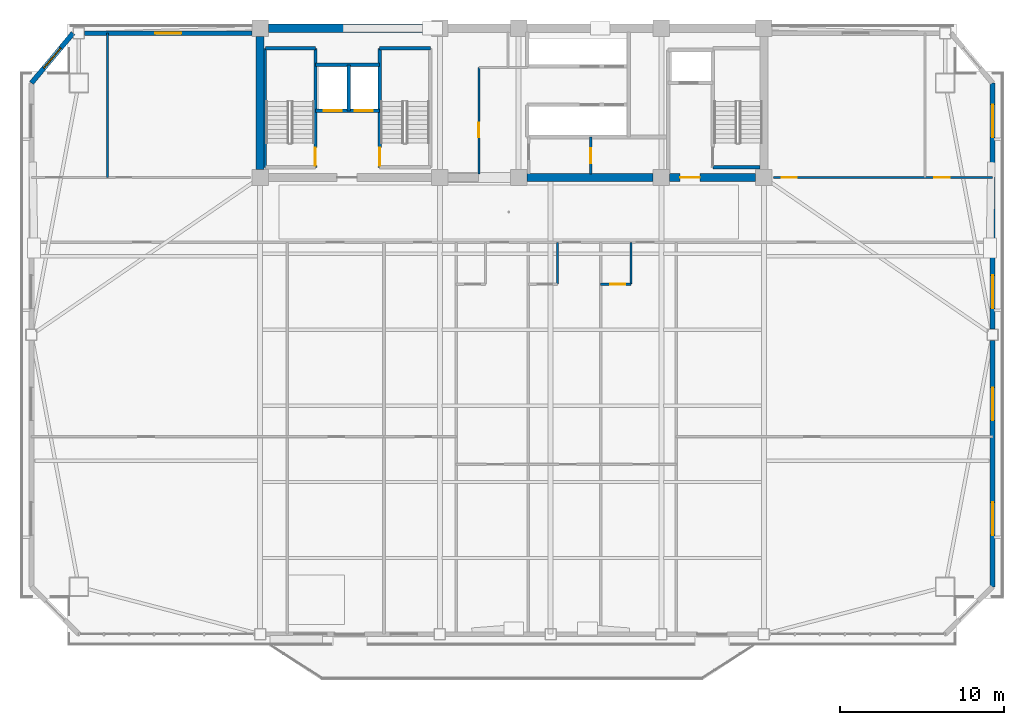
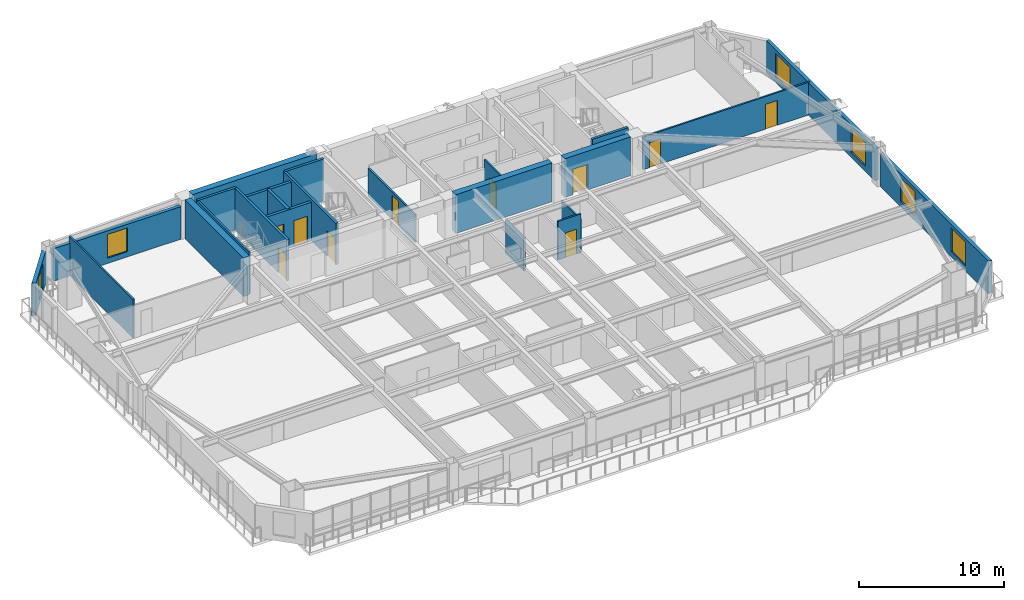
# One storey, part 9 of 15: 24 walls, 10 doors, 6 windows, 16 openings.
"""IFC4 building model written with IfcOpenShell, lengths in metres."""

from ifc_helpers import new_model, si_unit, direction, frame, frame_2d, origin, place, context, subcontext, project, spatial, rectangle, extrude, source, transform, mapped, material, layer, layer_set, type_object, element, fill, save


model = new_model("IFC4")

# Units and contexts
model_context = context("Model", 3, precision=1e-05, world=origin(), true_north=direction((0.0, 1.0)))
body_context = subcontext(model_context, "Body", "Model", "MODEL_VIEW")
ifc_project = project(units=[si_unit("LENGTHUNIT", "METRE"), si_unit("AREAUNIT", "SQUARE_METRE"), si_unit("VOLUMEUNIT", "CUBIC_METRE"), si_unit("PLANEANGLEUNIT", "RADIAN"), si_unit("MASSUNIT", "GRAM", prefix="KILO")], contexts=[model_context])

# Site, building, storey
site_placement = place(None, origin())
site = spatial("IfcSite", under=ifc_project, at=site_placement, CompositionType="ELEMENT")
building_placement = place(site_placement, origin())
building = spatial("IfcBuilding", under=site, at=building_placement, Name="Giltprow Tower", CompositionType="ELEMENT")
storey_placement = place(building_placement, frame((0.0, 0.0, 173.699951171875)))
storey = spatial("IfcBuildingStorey", under=building, at=storey_placement, Name="L43", CompositionType="ELEMENT", Elevation=173.699951171875)

# Wall, opening, window
ifc_material_1 = material(Name="Precast concrete C40", Category="concrete")
ifc_layer_1 = layer(ifc_material_1, 0.300048828125, Name="Precast concrete C40")
ifc_layer_set_1 = layer_set([ifc_layer_1], Name="Precast concrete C40")
wall_type_1 = type_object("IfcWallType", Name="EW-NOTCH-CHAMFER-300", PredefinedType="SOLIDWALL", material=ifc_layer_set_1)
wall_1_placement = place(storey_placement, frame((8.4560546875, 46.25, 0.0), z_axis=(0.0, 0.0, 1.0), x_axis=(-0.641106288565, -0.76745210063, 0.0)))
wall_1 = element("IfcWall", 1, at=wall_1_placement, inside=storey, type_object=wall_type_1, Name="L43 Corner Notch Wall NW", PredefinedType="SOLIDWALL", context=body_context, shape_type="SweptSolid", body=[
    extrude(rectangle(XDim=3.957275390625, YDim=0.300048828125, at=frame_2d((1.978515625, 0.0))), origin(), (0.0, 0.0, 1.0), 2.75),
])
opening_1_placement = place(wall_1_placement, frame((1.178955078125, 0.0, 0.449951171875)))
opening_1 = element("IfcOpeningElement", 2, at=opening_1_placement, cuts=wall_1, Name="Opening WN17", PredefinedType="OPENING", context=body_context, shape_type="SweptSolid", body=[
    extrude(rectangle(XDim=1.60009765625, YDim=2.0, at=frame_2d((0.800048828125, 1.0))), frame((0.0, 0.159912109375, 0.0), z_axis=(0.0, -1.0, 0.0), x_axis=(1.0, 0.0, 0.0)), (0.0, 0.0, 1.0), 0.320068359375),
])
ifc_material_2 = material(Name="Insulated glass", Category="glass")
window_type_1 = type_object("IfcWindowType", Name="WN-COR-1600x2000", PartitioningType="SINGLE_PANEL", PredefinedType="WINDOW", material=ifc_material_2)
shared_shape_1 = source(origin(), body_context, "Body", "SweptSolid", [
    extrude(rectangle(XDim=1.60009765625, YDim=2.0, at=frame_2d((0.800048828125, 1.0))), frame((0.0, 0.030029296875, 0.0), z_axis=(0.0, -1.0, 0.0), x_axis=(1.0, 0.0, 0.0)), (0.0, 0.0, 1.0), 0.06005859375),
])
window_1_placement = place(opening_1_placement, origin())
window_1 = element("IfcWindow", 3, at=window_1_placement, inside=storey, type_object=window_type_1, Name="L43 Corner Notch Window NW", OverallHeight=2.0, OverallWidth=1.60009765625, PartitioningType="SINGLE_PANEL", PredefinedType="WINDOW", context=body_context, shape_type="MappedRepresentation", body=[
    mapped(shared_shape_1, transform((0.0, 0.0, 0.0), x_axis=(1.0, 0.0, 0.0), y_axis=(0.0, 1.0, 0.0), z_axis=(0.0, 0.0, 1.0), scale=1.0)),
])
fill(opening_1, window_1)

# Wall, openings, windows
ifc_layer_2 = layer(ifc_material_1, 0.280029296875, Name="Precast concrete C40")
ifc_layer_set_2 = layer_set([ifc_layer_2], Name="Precast concrete C40")
wall_type_2 = type_object("IfcWallType", Name="EW-TOW-BRONZE-280", PredefinedType="SOLIDWALL", material=ifc_layer_set_2)
wall_2_placement = place(storey_placement, frame((64.48095703125, 12.512939453125, 0.0), z_axis=(0.0, 0.0, 1.0), x_axis=(0.0, 1.0, 0.0)))
wall_2 = element("IfcWall", 4, at=wall_2_placement, inside=storey, type_object=wall_type_2, Name="L43 E Wing Masonry Wall 1", PredefinedType="SOLIDWALL", context=body_context, shape_type="SweptSolid", body=[
    extrude(rectangle(XDim=15.0, YDim=0.280029296875, at=frame_2d((7.5, 0.0))), origin(), (0.0, 0.0, 1.0), 2.75),
])
opening_2_placement = place(wall_2_placement, frame((3.139892578125, 0.0, 0.449951171875)))
opening_2 = element("IfcOpeningElement", 5, at=opening_2_placement, cuts=wall_2, Name="Opening WN21", PredefinedType="OPENING", context=body_context, shape_type="SweptSolid", body=[
    extrude(rectangle(XDim=2.0, YDim=2.0, at=frame_2d((1.0, 1.0))), frame((0.0, 0.14990234375, 0.0), z_axis=(0.0, -1.0, 0.0), x_axis=(1.0, 0.0, 0.0)), (0.0, 0.0, 1.0), 0.300048828125),
])
opening_3_placement = place(wall_2_placement, frame((10.139892578125, 0.0, 0.449951171875)))
opening_3 = element("IfcOpeningElement", 6, at=opening_3_placement, cuts=wall_2, Name="Opening WN21", PredefinedType="OPENING", context=body_context, shape_type="SweptSolid", body=[
    extrude(rectangle(XDim=2.0, YDim=2.0, at=frame_2d((1.0, 1.0))), frame((0.0, 0.14990234375, 0.0), z_axis=(0.0, -1.0, 0.0), x_axis=(1.0, 0.0, 0.0)), (0.0, 0.0, 1.0), 0.300048828125),
])
window_type_2 = type_object("IfcWindowType", Name="WN-HTL-2000x2000", PartitioningType="DOUBLE_PANEL_VERTICAL", PredefinedType="WINDOW", material=ifc_material_2)
shared_shape_2 = source(origin(), body_context, "Body", "SweptSolid", [
    extrude(rectangle(XDim=2.0, YDim=2.0, at=frame_2d((1.0, 1.0))), frame((0.0, 0.030029296875, 0.0), z_axis=(0.0, -1.0, 0.0), x_axis=(1.0, 0.0, 0.0)), (0.0, 0.0, 1.0), 0.06005859375),
])
window_2_placement = place(opening_2_placement, origin())
window_2 = element("IfcWindow", 7, at=window_2_placement, inside=storey, type_object=window_type_2, Name="L43 E Wing Window 1-1A", OverallHeight=2.0, OverallWidth=2.0, PartitioningType="SINGLE_PANEL", PredefinedType="WINDOW", context=body_context, shape_type="MappedRepresentation", body=[
    mapped(shared_shape_2, transform((0.0, 0.0, 0.0), x_axis=(1.0, 0.0, 0.0), y_axis=(0.0, 1.0, 0.0), z_axis=(0.0, 0.0, 1.0), scale=1.0)),
])
fill(opening_2, window_2)
window_3_placement = place(opening_3_placement, origin())
window_3 = element("IfcWindow", 8, at=window_3_placement, inside=storey, type_object=window_type_2, Name="L43 E Wing Window 1-1B", OverallHeight=2.0, OverallWidth=2.0, PartitioningType="SINGLE_PANEL", PredefinedType="WINDOW", context=body_context, shape_type="MappedRepresentation", body=[
    mapped(shared_shape_2, transform((0.0, 0.0, 0.0), x_axis=(1.0, 0.0, 0.0), y_axis=(0.0, 1.0, 0.0), z_axis=(0.0, 0.0, 1.0), scale=1.0)),
])
fill(opening_3, window_3)

wall_3_placement = place(storey_placement, frame((64.48095703125, 28.212890625, 0.0), z_axis=(0.0, 0.0, 1.0), x_axis=(0.0, 1.0, 0.0)))
wall_3 = element("IfcWall", 9, at=wall_3_placement, inside=storey, type_object=wall_type_2, Name="L43 E Wing Masonry Wall 2", PredefinedType="SOLIDWALL", context=body_context, shape_type="SweptSolid", body=[
    extrude(rectangle(XDim=15.0, YDim=0.280029296875, at=frame_2d((7.5, 0.0))), origin(), (0.0, 0.0, 1.0), 2.75),
])
opening_4_placement = place(wall_3_placement, frame((1.27099609375, 0.0, 0.449951171875)))
opening_4 = element("IfcOpeningElement", 10, at=opening_4_placement, cuts=wall_3, Name="Opening WN21", PredefinedType="OPENING", context=body_context, shape_type="SweptSolid", body=[
    extrude(rectangle(XDim=2.0, YDim=2.0, at=frame_2d((1.0, 1.0))), frame((0.0, 0.14990234375, 0.0), z_axis=(0.0, -1.0, 0.0), x_axis=(1.0, 0.0, 0.0)), (0.0, 0.0, 1.0), 0.300048828125),
])
opening_5_placement = place(wall_3_placement, frame((11.68505859375, 0.0, 0.449951171875)))
opening_5 = element("IfcOpeningElement", 11, at=opening_5_placement, cuts=wall_3, Name="Opening WN21", PredefinedType="OPENING", context=body_context, shape_type="SweptSolid", body=[
    extrude(rectangle(XDim=2.0, YDim=2.0, at=frame_2d((1.0, 1.0))), frame((0.0, 0.14990234375, 0.0), z_axis=(0.0, -1.0, 0.0), x_axis=(1.0, 0.0, 0.0)), (0.0, 0.0, 1.0), 0.300048828125),
])
window_4_placement = place(opening_4_placement, origin())
window_4 = element("IfcWindow", 12, at=window_4_placement, inside=storey, type_object=window_type_2, Name="L43 E Wing Window 2-1", OverallHeight=2.0, OverallWidth=2.0, PartitioningType="SINGLE_PANEL", PredefinedType="WINDOW", context=body_context, shape_type="MappedRepresentation", body=[
    mapped(shared_shape_2, transform((0.0, 0.0, 0.0), x_axis=(1.0, 0.0, 0.0), y_axis=(0.0, 1.0, 0.0), z_axis=(0.0, 0.0, 1.0), scale=1.0)),
])
fill(opening_4, window_4)
window_5_placement = place(opening_5_placement, origin())
window_5 = element("IfcWindow", 13, at=window_5_placement, inside=storey, type_object=window_type_2, Name="L43 E Wing Window 2-2", OverallHeight=2.0, OverallWidth=2.0, PartitioningType="SINGLE_PANEL", PredefinedType="WINDOW", context=body_context, shape_type="MappedRepresentation", body=[
    mapped(shared_shape_2, transform((0.0, 0.0, 0.0), x_axis=(1.0, 0.0, 0.0), y_axis=(0.0, 1.0, 0.0), z_axis=(0.0, 0.0, 1.0), scale=1.0)),
])
fill(opening_5, window_5)

# Wall, opening, window
wall_4_placement = place(storey_placement, frame((9.156005859375, 46.25, 0.0), z_axis=(0.0, 0.0, 1.0), x_axis=(1.0, 0.0, 0.0)))
wall_4 = element("IfcWall", 14, at=wall_4_placement, inside=storey, type_object=wall_type_2, Name="L43 North-West Wing Wall", PredefinedType="SOLIDWALL", context=body_context, shape_type="SweptSolid", body=[
    extrude(rectangle(XDim=10.194091796875, YDim=0.280029296875, at=frame_2d((5.09716796875, 0.0))), origin(), (0.0, 0.0, 1.0), 2.75),
])
opening_6_placement = place(wall_4_placement, frame((4.297119140625, 0.0, 0.449951171875)))
opening_6 = element("IfcOpeningElement", 15, at=opening_6_placement, cuts=wall_4, Name="Opening WN17", PredefinedType="OPENING", context=body_context, shape_type="SweptSolid", body=[
    extrude(rectangle(XDim=1.60009765625, YDim=2.0, at=frame_2d((0.800048828125, 1.0))), frame((0.0, 0.14990234375, 0.0), z_axis=(0.0, -1.0, 0.0), x_axis=(1.0, 0.0, 0.0)), (0.0, 0.0, 1.0), 0.300048828125),
])
window_6_placement = place(opening_6_placement, origin())
window_6 = element("IfcWindow", 16, at=window_6_placement, inside=storey, type_object=window_type_1, Name="L43 North-West Window", OverallHeight=2.0, OverallWidth=1.60009765625, PartitioningType="SINGLE_PANEL", PredefinedType="WINDOW", context=body_context, shape_type="MappedRepresentation", body=[
    mapped(shared_shape_1, transform((0.0, 0.0, 0.0), x_axis=(1.0, 0.0, 0.0), y_axis=(0.0, 1.0, 0.0), z_axis=(0.0, 0.0, 1.0), scale=1.0)),
])
fill(opening_6, window_6)

# Wall, openings, doors
ifc_material_3 = material(Name="Concrete C40", Category="concrete")
ifc_layer_3 = layer(ifc_material_3, 0.219970703125, Name="Concrete C40")
ifc_layer_set_3 = layer_set([ifc_layer_3], Name="Concrete C40")
wall_type_3 = type_object("IfcWallType", Name="IW-SHAFT-220", PredefinedType="SOLIDWALL", material=ifc_layer_set_3)
wall_5_placement = place(storey_placement, frame((23.219970703125, 41.52001953125, 0.0), z_axis=(0.0, 0.0, 1.0), x_axis=(1.0, 0.0, 0.0)))
wall_5 = element("IfcWall", 17, at=wall_5_placement, inside=storey, type_object=wall_type_3, Name="L43 FFL1 and Service Lift Front Wall", PredefinedType="SOLIDWALL", context=body_context, shape_type="SweptSolid", body=[
    extrude(rectangle(XDim=3.919921875, YDim=0.219970703125, at=frame_2d((1.9599609375, 0.0))), origin(), (0.0, 0.0, 1.0), 3.27001953125),
])
opening_7_placement = place(wall_5_placement, frame((0.5, 0.0, 0.0)))
opening_7 = element("IfcOpeningElement", 18, at=opening_7_placement, cuts=wall_5, Name="Opening LD-11", PredefinedType="OPENING", context=body_context, shape_type="SweptSolid", body=[
    extrude(rectangle(XDim=1.10009765625, YDim=2.199951171875, at=frame_2d((0.550048828125, 1.10009765625))), frame((0.0, 0.119873046875, 0.0), z_axis=(0.0, -1.0, 0.0), x_axis=(1.0, 0.0, 0.0)), (0.0, 0.0, 1.0), 0.239990234375),
])
opening_8_placement = place(wall_5_placement, frame((2.39990234375, 0.0, 0.0)))
opening_8 = element("IfcOpeningElement", 19, at=opening_8_placement, cuts=wall_5, Name="Opening LD-11", PredefinedType="OPENING", context=body_context, shape_type="SweptSolid", body=[
    extrude(rectangle(XDim=1.10009765625, YDim=2.199951171875, at=frame_2d((0.550048828125, 1.10009765625))), frame((0.0, 0.119873046875, 0.0), z_axis=(0.0, -1.0, 0.0), x_axis=(1.0, 0.0, 0.0)), (0.0, 0.0, 1.0), 0.239990234375),
])
ifc_material_4 = material(Name="Stainless steel", Category="steel")
door_type_1 = type_object("IfcDoorType", Name="DR-LIFT-LD1100", OperationType="SLIDING_TO_LEFT", PredefinedType="DOOR", material=ifc_material_4)
shared_shape_3 = source(origin(), body_context, "Body", "SweptSolid", [
    extrude(rectangle(XDim=1.10009765625, YDim=2.199951171875, at=frame_2d((0.550048828125, 1.10009765625))), frame((0.0, 0.02490234375, 0.0), z_axis=(0.0, -1.0, 0.0), x_axis=(1.0, 0.0, 0.0)), (0.0, 0.0, 1.0), 0.050048828125),
])
door_1_placement = place(opening_7_placement, origin())
door_1 = element("IfcDoor", 20, at=door_1_placement, inside=storey, type_object=door_type_1, Name="L43 FFL1 Landing Door", OperationType="SLIDING_TO_LEFT", OverallHeight=2.199951171875, OverallWidth=1.10009765625, PredefinedType="DOOR", context=body_context, shape_type="MappedRepresentation", body=[
    mapped(shared_shape_3, transform((0.0, 0.0, 0.0), x_axis=(1.0, 0.0, 0.0), y_axis=(0.0, 1.0, 0.0), z_axis=(0.0, 0.0, 1.0), scale=1.0)),
])
fill(opening_7, door_1)
door_2_placement = place(opening_8_placement, origin())
door_2 = element("IfcDoor", 21, at=door_2_placement, inside=storey, type_object=door_type_1, Name="L43 SVL1 Landing Door", OperationType="SLIDING_TO_LEFT", OverallHeight=2.199951171875, OverallWidth=1.10009765625, PredefinedType="DOOR", context=body_context, shape_type="MappedRepresentation", body=[
    mapped(shared_shape_3, transform((0.0, 0.0, 0.0), x_axis=(1.0, 0.0, 0.0), y_axis=(0.0, 1.0, 0.0), z_axis=(0.0, 0.0, 1.0), scale=1.0)),
])
fill(opening_8, door_2)

# Walls
wall_6_placement = place(storey_placement, frame((25.260009765625, 41.52001953125, 0.0), z_axis=(0.0, 0.0, 1.0), x_axis=(0.0, 1.0, 0.0)))
element("IfcWall", 22, at=wall_6_placement, inside=storey, type_object=wall_type_3, Name="L43 FFL1-SVL1 Shaft Divider", PredefinedType="SOLIDWALL", context=body_context, shape_type="SweptSolid", body=[
    extrude(rectangle(XDim=2.800048828125, YDim=0.219970703125, at=frame_2d((1.39990234375, 0.0))), origin(), (0.0, 0.0, 1.0), 3.27001953125),
])
wall_7_placement = place(storey_placement, frame((23.219970703125, 44.320068359375, 0.0), z_axis=(0.0, 0.0, 1.0), x_axis=(1.0, 0.0, 0.0)))
element("IfcWall", 23, at=wall_7_placement, inside=storey, type_object=wall_type_3, Name="L43 FFL1-SVL1 Back Shaft Wall", PredefinedType="SOLIDWALL", context=body_context, shape_type="SweptSolid", body=[
    extrude(rectangle(XDim=3.919921875, YDim=0.219970703125, at=frame_2d((1.9599609375, 0.0))), origin(), (0.0, 0.0, 1.0), 3.27001953125),
])
ifc_material_5 = material(Name="Concrete C45", Category="concrete")
ifc_layer_4 = layer(ifc_material_5, 0.139892578125, Name="Concrete C45")
ifc_layer_set_4 = layer_set([ifc_layer_4], Name="Concrete C45")
wall_type_4 = type_object("IfcWallType", Name="IW-STAIR-140", PredefinedType="SOLIDWALL", material=ifc_layer_set_4)
wall_8_placement = place(storey_placement, frame((20.169921875, 38.070068359375, 0.0), z_axis=(0.0, 0.0, 1.0), x_axis=(0.0, 1.0, 0.0)))
element("IfcWall", 24, at=wall_8_placement, inside=storey, type_object=wall_type_4, Name="L43 Stair ST-1 West Bearing Wall", PredefinedType="SOLIDWALL", context=body_context, shape_type="SweptSolid", body=[
    extrude(rectangle(XDim=7.25, YDim=0.139892578125, at=frame_2d((3.625, 0.0))), origin(), (0.0, 0.0, 1.0), 3.5),
])

# Wall, opening, door
ifc_layer_5 = layer(ifc_material_3, 0.199951171875, Name="Concrete C40")
ifc_layer_set_5 = layer_set([ifc_layer_5], Name="Concrete C40")
wall_type_5 = type_object("IfcWallType", Name="IW-STAIR-200", PredefinedType="SOLIDWALL", material=ifc_layer_set_5)
wall_9_placement = place(storey_placement, frame((23.219970703125, 38.070068359375, 0.0), z_axis=(0.0, 0.0, 1.0), x_axis=(0.0, 1.0, 0.0)))
wall_9 = element("IfcWall", 25, at=wall_9_placement, inside=storey, type_object=wall_type_5, Name="L43 Stair ST-1 East Bearing Wall", PredefinedType="SOLIDWALL", context=body_context, shape_type="SweptSolid", body=[
    extrude(rectangle(XDim=7.25, YDim=0.199951171875, at=frame_2d((3.625, 0.0))), origin(), (0.0, 0.0, 1.0), 3.5),
])
opening_9_placement = place(wall_9_placement, frame((0.110107421875, 0.0, 0.0)))
opening_9 = element("IfcOpeningElement", 26, at=opening_9_placement, cuts=wall_9, Name="Opening ID33", PredefinedType="OPENING", context=body_context, shape_type="SweptSolid", body=[
    extrude(rectangle(XDim=1.10009765625, YDim=2.14990234375, at=frame_2d((0.550048828125, 1.074951171875))), frame((0.0, 0.10986328125, 0.0), z_axis=(0.0, -1.0, 0.0), x_axis=(1.0, 0.0, 0.0)), (0.0, 0.0, 1.0), 0.219970703125),
])
ifc_material_6 = material(Name="Steel fire leaf", Category="steel")
door_type_2 = type_object("IfcDoorType", Name="DR-STAIR-1100", OperationType="SINGLE_SWING_LEFT", PredefinedType="DOOR", material=ifc_material_6)
shared_shape_4 = source(origin(), body_context, "Body", "SweptSolid", [
    extrude(rectangle(XDim=1.10009765625, YDim=2.14990234375, at=frame_2d((0.550048828125, 1.074951171875))), frame((0.0, 0.02490234375, 0.0), z_axis=(0.0, -1.0, 0.0), x_axis=(1.0, 0.0, 0.0)), (0.0, 0.0, 1.0), 0.050048828125),
])
door_3_placement = place(opening_9_placement, origin())
door_3 = element("IfcDoor", 27, at=door_3_placement, inside=storey, type_object=door_type_2, Name="L43 Stair ST-1 Fire Door", OperationType="SINGLE_SWING_LEFT", OverallHeight=2.14990234375, OverallWidth=1.10009765625, PredefinedType="DOOR", context=body_context, shape_type="MappedRepresentation", body=[
    mapped(shared_shape_4, transform((0.0, 0.0, 0.0), x_axis=(1.0, 0.0, 0.0), y_axis=(0.0, 1.0, 0.0), z_axis=(0.0, 0.0, 1.0), scale=1.0)),
])
fill(opening_9, door_3)

# Wall
wall_10_placement = place(storey_placement, frame((20.169921875, 45.320068359375, 0.0), z_axis=(0.0, 0.0, 1.0), x_axis=(1.0, 0.0, 0.0)))
element("IfcWall", 28, at=wall_10_placement, inside=storey, type_object=wall_type_5, Name="L43 Stair ST-1 North Bearing Wall", PredefinedType="SOLIDWALL", context=body_context, shape_type="SweptSolid", body=[
    extrude(rectangle(XDim=3.050048828125, YDim=0.199951171875, at=frame_2d((1.52490234375, 0.0))), origin(), (0.0, 0.0, 1.0), 3.5),
])

# Wall, opening, door
wall_11_placement = place(storey_placement, frame((27.139892578125, 38.070068359375, 0.0), z_axis=(0.0, 0.0, 1.0), x_axis=(0.0, 1.0, 0.0)))
wall_11 = element("IfcWall", 29, at=wall_11_placement, inside=storey, type_object=wall_type_5, Name="L43 Stair ST-2 West Bearing Wall", PredefinedType="SOLIDWALL", context=body_context, shape_type="SweptSolid", body=[
    extrude(rectangle(XDim=7.25, YDim=0.199951171875, at=frame_2d((3.625, 0.0))), origin(), (0.0, 0.0, 1.0), 3.5),
])
opening_10_placement = place(wall_11_placement, frame((0.110107421875, 0.0, 0.0)))
opening_10 = element("IfcOpeningElement", 30, at=opening_10_placement, cuts=wall_11, Name="Opening ID33", PredefinedType="OPENING", context=body_context, shape_type="SweptSolid", body=[
    extrude(rectangle(XDim=1.10009765625, YDim=2.14990234375, at=frame_2d((0.550048828125, 1.074951171875))), frame((0.0, 0.10986328125, 0.0), z_axis=(0.0, -1.0, 0.0), x_axis=(1.0, 0.0, 0.0)), (0.0, 0.0, 1.0), 0.219970703125),
])
door_4_placement = place(opening_10_placement, origin())
door_4 = element("IfcDoor", 31, at=door_4_placement, inside=storey, type_object=door_type_2, Name="L43 Stair ST-2 Fire Door", OperationType="SINGLE_SWING_RIGHT", OverallHeight=2.14990234375, OverallWidth=1.10009765625, PredefinedType="DOOR", context=body_context, shape_type="MappedRepresentation", body=[
    mapped(shared_shape_4, transform((0.0, 0.0, 0.0), x_axis=(1.0, 0.0, 0.0), y_axis=(0.0, 1.0, 0.0), z_axis=(0.0, 0.0, 1.0), scale=1.0)),
])
fill(opening_10, door_4)

# Walls
wall_12_placement = place(storey_placement, frame((27.139892578125, 45.320068359375, 0.0), z_axis=(0.0, 0.0, 1.0), x_axis=(1.0, 0.0, 0.0)))
element("IfcWall", 32, at=wall_12_placement, inside=storey, type_object=wall_type_5, Name="L43 Stair ST-2 North Bearing Wall", PredefinedType="SOLIDWALL", context=body_context, shape_type="SweptSolid", body=[
    extrude(rectangle(XDim=3.080078125, YDim=0.199951171875, at=frame_2d((1.5400390625, 0.0))), origin(), (0.0, 0.0, 1.0), 3.5),
])
wall_13_placement = place(storey_placement, frame((47.43994140625, 38.070068359375, 0.0), z_axis=(0.0, 0.0, 1.0), x_axis=(1.0, 0.0, 0.0)))
element("IfcWall", 33, at=wall_13_placement, inside=storey, type_object=wall_type_5, Name="L43 Stair ST-3 South Bearing Wall", PredefinedType="SOLIDWALL", context=body_context, shape_type="SweptSolid", body=[
    extrude(rectangle(XDim=2.880126953125, YDim=0.199951171875, at=frame_2d((1.43994140625, 0.0))), origin(), (0.0, 0.0, 1.0), 3.5),
])

# Wall, opening, door
ifc_material_7 = material(Name="Concrete C30", Category="concrete")
ifc_layer_6 = layer(ifc_material_7, 0.1298828125, Name="Concrete C30")
ifc_layer_set_6 = layer_set([ifc_layer_6], Name="Concrete C30")
wall_type_6 = type_object("IfcWallType", Name="IW-WET-130", PredefinedType="PARTITIONING", material=ifc_layer_set_6)
wall_14_placement = place(storey_placement, frame((33.179931640625, 37.679931640625, 0.0), z_axis=(0.0, 0.0, 1.0), x_axis=(0.0, 1.0, 0.0)))
wall_14 = element("IfcWall", 34, at=wall_14_placement, inside=storey, type_object=wall_type_6, Name="L43 Reclaimed Core Room East Wall", PredefinedType="PARTITIONING", context=body_context, shape_type="SweptSolid", body=[
    extrude(rectangle(XDim=6.469970703125, YDim=0.1298828125, at=frame_2d((3.23486328125, 0.0))), origin(), (0.0, 0.0, 1.0), 2.35498046875),
])
opening_11_placement = place(wall_14_placement, frame((2.219970703125, 0.0, 0.0)))
opening_11 = element("IfcOpeningElement", 35, at=opening_11_placement, cuts=wall_14, Name="Opening ID35", PredefinedType="OPENING", context=body_context, shape_type="SweptSolid", body=[
    extrude(rectangle(XDim=0.89990234375, YDim=2.10009765625, at=frame_2d((0.449951171875, 1.050048828125))), frame((0.0, 0.074951171875, 0.0), z_axis=(0.0, -1.0, 0.0), x_axis=(1.0, 0.0, 0.0)), (0.0, 0.0, 1.0), 0.14990234375),
])
door_type_3 = type_object("IfcDoorType", Name="DR-SHAFT-900", OperationType="SINGLE_SWING_LEFT", PredefinedType="DOOR", material=ifc_material_6)
shared_shape_5 = source(origin(), body_context, "Body", "SweptSolid", [
    extrude(rectangle(XDim=0.89990234375, YDim=2.10009765625, at=frame_2d((0.449951171875, 1.050048828125))), frame((0.0, 0.02490234375, 0.0), z_axis=(0.0, -1.0, 0.0), x_axis=(1.0, 0.0, 0.0)), (0.0, 0.0, 1.0), 0.050048828125),
])
door_5_placement = place(opening_11_placement, origin())
door_5 = element("IfcDoor", 36, at=door_5_placement, inside=storey, type_object=door_type_3, Name="L43 Housekeeping and Linen Suite Door", OperationType="SINGLE_SWING_RIGHT", OverallHeight=2.10009765625, OverallWidth=0.89990234375, PredefinedType="DOOR", context=body_context, shape_type="MappedRepresentation", body=[
    mapped(shared_shape_5, transform((0.0, 0.0, 0.0), x_axis=(1.0, 0.0, 0.0), y_axis=(0.0, 1.0, 0.0), z_axis=(0.0, 0.0, 1.0), scale=1.0)),
])
fill(opening_11, door_5)

wall_15_placement = place(storey_placement, frame((40.0, 37.679931640625, 0.0), z_axis=(0.0, 0.0, 1.0), x_axis=(0.0, 1.0, 0.0)))
wall_15 = element("IfcWall", 37, at=wall_15_placement, inside=storey, type_object=wall_type_6, Name="L43 Core Valet Split", PredefinedType="PARTITIONING", context=body_context, shape_type="SweptSolid", body=[
    extrude(rectangle(XDim=2.239990234375, YDim=0.1298828125, at=frame_2d((1.1201171875, 0.0))), origin(), (0.0, 0.0, 1.0), 3.27001953125),
])
opening_12_placement = place(wall_15_placement, frame((0.639892578125, 0.0, 0.0)))
opening_12 = element("IfcOpeningElement", 38, at=opening_12_placement, cuts=wall_15, Name="Opening ID35", PredefinedType="OPENING", context=body_context, shape_type="SweptSolid", body=[
    extrude(rectangle(XDim=0.89990234375, YDim=2.10009765625, at=frame_2d((0.449951171875, 1.050048828125))), frame((0.0, 0.074951171875, 0.0), z_axis=(0.0, -1.0, 0.0), x_axis=(1.0, 0.0, 0.0)), (0.0, 0.0, 1.0), 0.14990234375),
])
door_6_placement = place(opening_12_placement, origin())
door_6 = element("IfcDoor", 39, at=door_6_placement, inside=storey, type_object=door_type_3, Name="L43 Core Minibar Pantry Door", OperationType="SINGLE_SWING_RIGHT", OverallHeight=2.10009765625, OverallWidth=0.89990234375, PredefinedType="DOOR", context=body_context, shape_type="MappedRepresentation", body=[
    mapped(shared_shape_5, transform((0.0, 0.0, 0.0), x_axis=(1.0, 0.0, 0.0), y_axis=(0.0, 1.0, 0.0), z_axis=(0.0, 0.0, 1.0), scale=1.0)),
])
fill(opening_12, door_6)

# Wall
wall_16_placement = place(storey_placement, frame((37.97607421875, 30.949951171875, 0.0), z_axis=(0.0, 0.0, 1.0), x_axis=(0.0, 1.0, 0.0)))
element("IfcWall", 40, at=wall_16_placement, inside=storey, type_object=wall_type_6, Name="L43 En-Suite East Wall 5", PredefinedType="PARTITIONING", context=body_context, shape_type="SweptSolid", body=[
    extrude(rectangle(XDim=2.550048828125, YDim=0.1298828125, at=frame_2d((1.27490234375, 0.0))), origin(), (0.0, 0.0, 1.0), 2.804931640625),
])

# Wall, opening, door
wall_17_placement = place(storey_placement, frame((40.60009765625, 30.949951171875, 0.0), z_axis=(0.0, 0.0, 1.0), x_axis=(1.0, 0.0, 0.0)))
wall_17 = element("IfcWall", 41, at=wall_17_placement, inside=storey, type_object=wall_type_6, Name="L43 En-Suite South Wall 6", PredefinedType="PARTITIONING", context=body_context, shape_type="SweptSolid", body=[
    extrude(rectangle(XDim=1.85595703125, YDim=0.1298828125, at=frame_2d((0.927978515625, 0.0))), origin(), (0.0, 0.0, 1.0), 3.27001953125),
])
opening_13_placement = place(wall_17_placement, frame((0.597900390625, 0.0, 0.0)))
opening_13 = element("IfcOpeningElement", 42, at=opening_13_placement, cuts=wall_17, Name="Opening ID15", PredefinedType="OPENING", context=body_context, shape_type="SweptSolid", body=[
    extrude(rectangle(XDim=0.89990234375, YDim=2.10009765625, at=frame_2d((0.449951171875, 1.050048828125))), frame((0.0, 0.074951171875, 0.0), z_axis=(0.0, -1.0, 0.0), x_axis=(1.0, 0.0, 0.0)), (0.0, 0.0, 1.0), 0.14990234375),
])
ifc_material_8 = material(Name="Engineered timber", Category="wood")
door_type_4 = type_object("IfcDoorType", Name="DR-WC-900", OperationType="SINGLE_SWING_LEFT", PredefinedType="DOOR", material=ifc_material_8)
door_7_placement = place(opening_13_placement, origin())
door_7 = element("IfcDoor", 43, at=door_7_placement, inside=storey, type_object=door_type_4, Name="L43 En-Suite 6 Door", OperationType="SINGLE_SWING_RIGHT", OverallHeight=2.10009765625, OverallWidth=0.89990234375, PredefinedType="DOOR", context=body_context, shape_type="MappedRepresentation", body=[
    mapped(shared_shape_5, transform((0.0, 0.0, 0.0), x_axis=(1.0, 0.0, 0.0), y_axis=(0.0, 1.0, 0.0), z_axis=(0.0, 0.0, 1.0), scale=1.0)),
])
fill(opening_13, door_7)

# Walls
wall_18_placement = place(storey_placement, frame((42.4560546875, 30.949951171875, 0.0), z_axis=(0.0, 0.0, 1.0), x_axis=(0.0, 1.0, 0.0)))
element("IfcWall", 44, at=wall_18_placement, inside=storey, type_object=wall_type_6, Name="L43 En-Suite East Wall 6", PredefinedType="PARTITIONING", context=body_context, shape_type="SweptSolid", body=[
    extrude(rectangle(XDim=2.550048828125, YDim=0.1298828125, at=frame_2d((1.27490234375, 0.0))), origin(), (0.0, 0.0, 1.0), 2.804931640625),
])
wall_19_placement = place(storey_placement, frame((10.550048828125, 37.449951171875, 0.0), z_axis=(0.0, 0.0, 1.0), x_axis=(0.0, 1.0, 0.0)))
element("IfcWall", 45, at=wall_19_placement, inside=storey, type_object=wall_type_6, Name="L43 NW Wing Divider", PredefinedType="PARTITIONING", context=body_context, shape_type="SweptSolid", body=[
    extrude(rectangle(XDim=8.800048828125, YDim=0.1298828125, at=frame_2d((4.39990234375, 0.0))), origin(), (0.0, 0.0, 1.0), 3.27001953125),
])

# Wall, openings, doors
wall_20_placement = place(storey_placement, frame((51.14990234375, 37.449951171875, 0.0), z_axis=(0.0, 0.0, 1.0), x_axis=(1.0, 0.0, 0.0)))
wall_20 = element("IfcWall", 46, at=wall_20_placement, inside=storey, type_object=wall_type_6, Name="L43 NE Wing South Wall", PredefinedType="PARTITIONING", context=body_context, shape_type="SweptSolid", body=[
    extrude(rectangle(XDim=13.3310546875, YDim=0.1298828125, at=frame_2d((6.66552734375, 0.0))), origin(), (0.0, 0.0, 1.0), 2.755126953125),
])
opening_14_placement = place(wall_20_placement, frame((0.5, 0.0, 0.0)))
opening_14 = element("IfcOpeningElement", 47, at=opening_14_placement, cuts=wall_20, Name="Opening ID15", PredefinedType="OPENING", context=body_context, shape_type="SweptSolid", body=[
    extrude(rectangle(XDim=0.89990234375, YDim=2.10009765625, at=frame_2d((0.449951171875, 1.050048828125))), frame((0.0, 0.074951171875, 0.0), z_axis=(0.0, -1.0, 0.0), x_axis=(1.0, 0.0, 0.0)), (0.0, 0.0, 1.0), 0.14990234375),
])
opening_15_placement = place(wall_20_placement, frame((9.77197265625, 0.0, 0.0)))
opening_15 = element("IfcOpeningElement", 48, at=opening_15_placement, cuts=wall_20, Name="Opening ID11", PredefinedType="OPENING", context=body_context, shape_type="SweptSolid", body=[
    extrude(rectangle(XDim=0.949951171875, YDim=2.10009765625, at=frame_2d((0.47509765625, 1.050048828125))), frame((0.0, 0.074951171875, 0.0), z_axis=(0.0, -1.0, 0.0), x_axis=(1.0, 0.0, 0.0)), (0.0, 0.0, 1.0), 0.14990234375),
])
door_8_placement = place(opening_14_placement, origin())
door_8 = element("IfcDoor", 49, at=door_8_placement, inside=storey, type_object=door_type_4, Name="L43 East Wing Washroom Door", OperationType="SINGLE_SWING_RIGHT", OverallHeight=2.10009765625, OverallWidth=0.89990234375, PredefinedType="DOOR", context=body_context, shape_type="MappedRepresentation", body=[
    mapped(shared_shape_5, transform((0.0, 0.0, 0.0), x_axis=(1.0, 0.0, 0.0), y_axis=(0.0, 1.0, 0.0), z_axis=(0.0, 0.0, 1.0), scale=1.0)),
])
fill(opening_14, door_8)
door_type_5 = type_object("IfcDoorType", Name="DR-ROOM-950", OperationType="SINGLE_SWING_RIGHT", PredefinedType="DOOR", material=ifc_material_8)
shared_shape_6 = source(origin(), body_context, "Body", "SweptSolid", [
    extrude(rectangle(XDim=0.949951171875, YDim=2.10009765625, at=frame_2d((0.47509765625, 1.050048828125))), frame((0.0, 0.02490234375, 0.0), z_axis=(0.0, -1.0, 0.0), x_axis=(1.0, 0.0, 0.0)), (0.0, 0.0, 1.0), 0.050048828125),
])
door_9_placement = place(opening_15_placement, origin())
door_9 = element("IfcDoor", 50, at=door_9_placement, inside=storey, type_object=door_type_5, Name="L43 Hotel Floor Linen Store Door", OperationType="SINGLE_SWING_LEFT", OverallHeight=2.10009765625, OverallWidth=0.949951171875, PredefinedType="DOOR", context=body_context, shape_type="MappedRepresentation", body=[
    mapped(shared_shape_6, transform((0.0, 0.0, 0.0), x_axis=(1.0, 0.0, 0.0), y_axis=(0.0, 1.0, 0.0), z_axis=(0.0, 0.0, 1.0), scale=1.0)),
])
fill(opening_15, door_9)

# Walls
ifc_material_9 = material(Name="Concrete C50", Category="concrete")
ifc_layer_7 = layer(ifc_material_9, 0.5, Name="Concrete C50")
ifc_layer_set_7 = layer_set([ifc_layer_7], Name="Concrete C50")
wall_type_7 = type_object("IfcWallType", Name="SW-EXT-500-C50", PredefinedType="SHEAR", material=ifc_layer_set_7)
wall_21_placement = place(storey_placement, frame((20.35009765625, 46.550048828125, 0.0), z_axis=(0.0, 0.0, 1.0), x_axis=(1.0, 0.0, 0.0)))
element("IfcWall", 51, at=wall_21_placement, inside=storey, type_object=wall_type_7, Name="L43 North Rear Core Shear Wall 1", PredefinedType="SHEAR", context=body_context, shape_type="SweptSolid", body=[
    extrude(rectangle(XDim=9.949951171875, YDim=0.5, at=frame_2d((4.97509765625, 0.0))), origin(), (0.0, 0.0, 1.0), 3.27001953125),
])
ifc_layer_8 = layer(ifc_material_9, 0.5, Name="Concrete C50")
ifc_layer_set_8 = layer_set([ifc_layer_8], Name="Concrete C50")
wall_type_8 = type_object("IfcWallType", Name="SW-INT-500-C50", PredefinedType="SHEAR", material=ifc_layer_set_8)
wall_22_placement = place(storey_placement, frame((36.10009765625, 37.449951171875, 0.0), z_axis=(0.0, 0.0, 1.0), x_axis=(1.0, 0.0, 0.0)))
element("IfcWall", 52, at=wall_22_placement, inside=storey, type_object=wall_type_8, Name="L43 South Rear Core Shear Wall Mid-East", PredefinedType="SHEAR", context=body_context, shape_type="SweptSolid", body=[
    extrude(rectangle(XDim=7.699951171875, YDim=0.5, at=frame_2d((3.85009765625, 0.0))), origin(), (0.0, 0.0, 1.0), 3.27001953125),
])

# Wall, opening, door
wall_23_placement = place(storey_placement, frame((44.800048828125, 37.449951171875, 0.0), z_axis=(0.0, 0.0, 1.0), x_axis=(1.0, 0.0, 0.0)))
wall_23 = element("IfcWall", 53, at=wall_23_placement, inside=storey, type_object=wall_type_8, Name="L43 South Rear Core Shear Wall East", PredefinedType="SHEAR", context=body_context, shape_type="SweptSolid", body=[
    extrude(rectangle(XDim=5.25, YDim=0.5, at=frame_2d((2.625, 0.0))), origin(), (0.0, 0.0, 1.0), 3.27001953125),
])
opening_16_placement = place(wall_23_placement, frame((0.64990234375, 0.0, 0.0)))
opening_16 = element("IfcOpeningElement", 54, at=opening_16_placement, cuts=wall_23, Name="Opening ID19", PredefinedType="OPENING", context=body_context, shape_type="SweptSolid", body=[
    extrude(rectangle(XDim=1.199951171875, YDim=2.14990234375, at=frame_2d((0.60009765625, 1.074951171875))), frame((0.0, 0.260009765625, 0.0), z_axis=(0.0, -1.0, 0.0), x_axis=(1.0, 0.0, 0.0)), (0.0, 0.0, 1.0), 0.52001953125),
])
door_type_6 = type_object("IfcDoorType", Name="DR-FFLOBBY-1200", OperationType="SINGLE_SWING_RIGHT", PredefinedType="DOOR", material=ifc_material_6)
shared_shape_7 = source(origin(), body_context, "Body", "SweptSolid", [
    extrude(rectangle(XDim=1.199951171875, YDim=2.14990234375, at=frame_2d((0.60009765625, 1.074951171875))), frame((0.0, 0.02490234375, 0.0), z_axis=(0.0, -1.0, 0.0), x_axis=(1.0, 0.0, 0.0)), (0.0, 0.0, 1.0), 0.050048828125),
])
door_10_placement = place(opening_16_placement, origin())
door_10 = element("IfcDoor", 55, at=door_10_placement, inside=storey, type_object=door_type_6, Name="L43 East Firefighting Lobby Entry Door", OperationType="SINGLE_SWING_RIGHT", OverallHeight=2.14990234375, OverallWidth=1.199951171875, PredefinedType="DOOR", context=body_context, shape_type="MappedRepresentation", body=[
    mapped(shared_shape_7, transform((0.0, 0.0, 0.0), x_axis=(1.0, 0.0, 0.0), y_axis=(0.0, 1.0, 0.0), z_axis=(0.0, 0.0, 1.0), scale=1.0)),
])
fill(opening_16, door_10)

# Wall
wall_24_placement = place(storey_placement, frame((19.85009765625, 37.949951171875, 0.0), z_axis=(0.0, 0.0, 1.0), x_axis=(0.0, 1.0, 0.0)))
element("IfcWall", 56, at=wall_24_placement, inside=storey, type_object=wall_type_8, Name="L43 W Rear Core Shear Wall", PredefinedType="SHEAR", context=body_context, shape_type="SweptSolid", body=[
    extrude(rectangle(XDim=8.10009765625, YDim=0.5, at=frame_2d((4.050048828125, 0.0))), origin(), (0.0, 0.0, 1.0), 3.27001953125),
])

save(model, "model.ifc")
